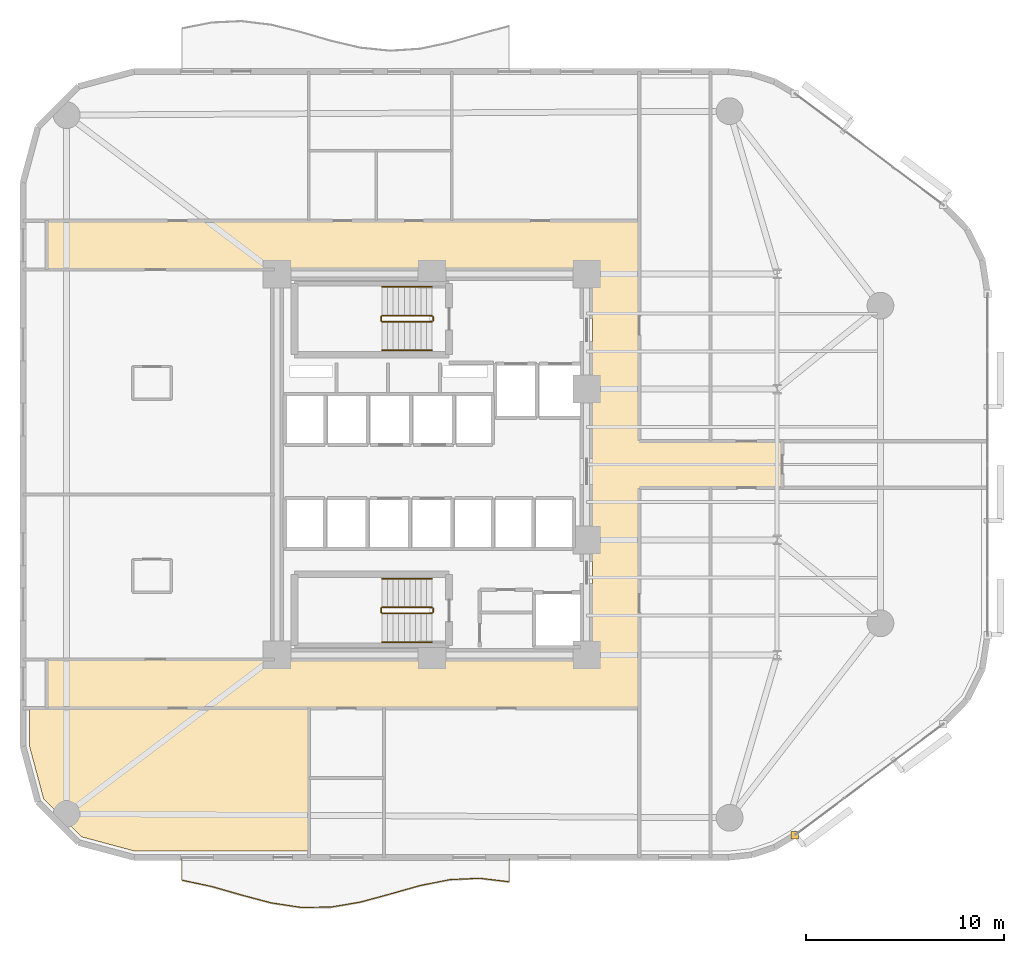
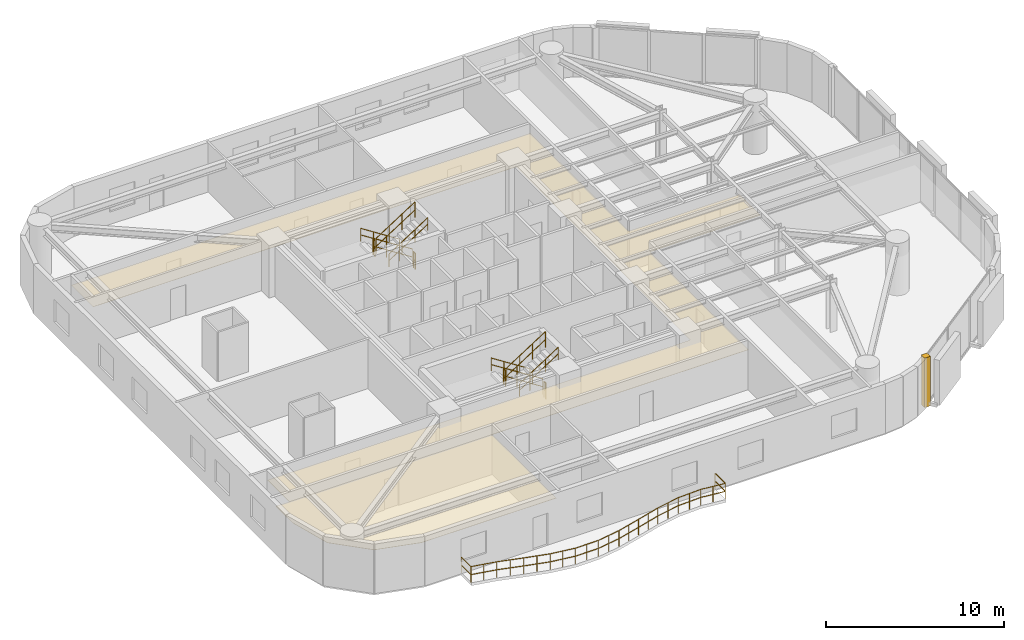
# One storey, part 14 of 15: 13 railings, 3 coverings.
"""IFC4 building model written with IfcOpenShell, lengths in metres."""

from ifc_helpers import new_model, si_unit, direction, frame, origin, origin_2d, place, context, subcontext, project, spatial, polyline, rectangle, circle, outline, extrude, material, layer, layer_set, type_object, element, save


model = new_model("IFC4")

# Units and contexts
model_context = context("Model", 3, precision=1e-05, world=origin(), true_north=direction((0.0, 1.0)))
body_context = subcontext(model_context, "Body", "Model", "MODEL_VIEW")
ifc_project = project(units=[si_unit("LENGTHUNIT", "METRE"), si_unit("AREAUNIT", "SQUARE_METRE"), si_unit("VOLUMEUNIT", "CUBIC_METRE"), si_unit("PLANEANGLEUNIT", "RADIAN"), si_unit("MASSUNIT", "GRAM", prefix="KILO")], contexts=[model_context])

# Site, building, storey
site_placement = place(None, origin())
site = spatial("IfcSite", under=ifc_project, at=site_placement, CompositionType="ELEMENT")
building_placement = place(site_placement, origin())
building = spatial("IfcBuilding", under=site, at=building_placement, Name="An Khanh Terracotta Commons", CompositionType="ELEMENT")
storey_placement = place(building_placement, frame((0.0, 0.0, 86.300048828125)))
storey = spatial("IfcBuildingStorey", under=building, at=storey_placement, Name="L22", CompositionType="ELEMENT", Elevation=86.300048828125)

# Coverings
ifc_material_1 = material(Name="Perforated Mineral-Fibre Acoustic Tile")
ifc_layer_1 = layer(ifc_material_1, 0.02001953125, Name="Perforated Mineral-Fibre Acoustic Tile")
ifc_layer_set_1 = layer_set([ifc_layer_1], Name="Perforated Mineral-Fibre Acoustic Tile")
covering_type_1 = type_object("IfcCoveringType", Name="CEIL-ACOUSTIC-18", PredefinedType="CEILING", material=ifc_layer_set_1)
covering_1_placement = place(storey_placement, frame((0.0, 0.0, 2.64990234375)))
element("IfcCovering", 1, at=covering_1_placement, inside=storey, type_object=covering_type_1, Name="L22 Corridor Ceiling", PredefinedType="CEILING", context=body_context, shape_type="SweptSolid", body=[
    extrude(outline(polyline([(10.0, 11.719970703125), (10.0, 14.179931640625), (37.5, 14.179931640625), (37.5, 33.820068359375), (10.0, 33.820068359375), (10.0, 36.280029296875), (37.5, 36.280029296875), (39.85009765625, 36.280029296875), (39.85009765625, 33.820068359375), (39.85009765625, 25.179931640625), (47.050048828125, 25.179931640625), (47.050048828125, 22.820068359375), (39.85009765625, 22.820068359375), (39.85009765625, 14.179931640625), (39.85009765625, 11.719970703125), (37.5, 11.719970703125), (10.0, 11.719970703125)])), origin(), (0.0, 0.0, 1.0), 0.02001953125),
])
covering_2_placement = place(storey_placement, frame((0.0, 0.0, 2.64990234375)))
element("IfcCovering", 2, at=covering_2_placement, inside=storey, type_object=covering_type_1, Name="L22 Academic Seminar Room Ceiling", PredefinedType="CEILING", context=body_context, shape_type="SweptSolid", body=[
    extrude(outline(polyline([(14.44189453125, 4.52001953125), (11.76611328125, 5.237060546875), (9.8369140625, 7.166015625), (9.1201171875, 9.842041015625), (9.1201171875, 11.719970703125), (10.0, 11.719970703125), (23.199951171875, 11.719970703125), (23.199951171875, 8.199951171875), (23.199951171875, 4.52001953125), (14.44189453125, 4.52001953125)])), origin(), (0.0, 0.0, 1.0), 0.02001953125),
])
ifc_material_2 = material(Name="Fired Terracotta Rainscreen Cladding", Category="masonry")
ifc_layer_2 = layer(ifc_material_2, 0.080078125, Name="Fired Terracotta Rainscreen Cladding")
ifc_layer_set_2 = layer_set([ifc_layer_2], Name="Fired Terracotta Rainscreen Cladding")
covering_type_2 = type_object("IfcCoveringType", Name="COV-JAMB-TERRA", PredefinedType="CLADDING", material=ifc_layer_set_2)
covering_3_placement = place(storey_placement, frame((47.693115234375, 5.320068359375, 0.0), z_axis=(0.0, 0.0, 1.0), x_axis=(1.0, 0.0, 0.0)))
element("IfcCovering", 3, at=covering_3_placement, inside=storey, type_object=covering_type_2, Name="L22 CW-02 Curtain-Wall Jamb Closure JA", PredefinedType="CLADDING", context=body_context, shape_type="SweptSolid", body=[
    extrude(rectangle(XDim=0.3798828125, YDim=0.3798828125, at=origin_2d()), origin(), (0.0, 0.0, 1.0), 3.39990234375),
])

# Railings
ifc_material_3 = material(Name="Brushed Stainless Steel 316", Category="steel")
railing_type_1 = type_object("IfcRailingType", Name="RAIL-BALUSTRADE-1100", PredefinedType="BALUSTRADE", material=ifc_material_3)
railing_1_placement = place(storey_placement, frame((16.800048828125, 4.139892578125, 0.0)))
element("IfcRailing", 4, at=railing_1_placement, inside=storey, type_object=railing_type_1, Name="L22 S Wave Balcony Guard Balustrade", PredefinedType="BALUSTRADE", context=body_context, shape_type="SweptSolid", body=[
    extrude(circle(Radius=0.02392578125, at=origin_2d()), frame((0.0, 0.0, 1.076171875), z_axis=(0.0, -1.0, 0.0), x_axis=(1.0, 0.0, 0.0)), (0.0, 0.0, 1.0), 1.079833984375),
    extrude(circle(Radius=0.02392578125, at=origin_2d()), frame((0.0, 0.0, 0.52587890625), z_axis=(0.0, -1.0, 0.0), x_axis=(1.0, 0.0, 0.0)), (0.0, 0.0, 1.0), 1.079833984375),
    extrude(circle(Radius=0.02392578125, at=origin_2d()), frame((0.0, -1.079833984375, 1.076171875), z_axis=(0.978242938641, -0.207462654468, 0.0), x_axis=(0.207462654468, 0.978242938641, 0.0)), (0.0, 0.0, 1.0), 1.533447265625),
    extrude(circle(Radius=0.02392578125, at=origin_2d()), frame((0.0, -1.079833984375, 0.52587890625), z_axis=(0.978242938641, -0.207462654468, 0.0), x_axis=(0.207462654468, 0.978242938641, 0.0)), (0.0, 0.0, 1.0), 1.533447265625),
    extrude(circle(Radius=0.02392578125, at=origin_2d()), frame((1.5, -1.39794921875, 1.076171875), z_axis=(0.961293347262, -0.275526950607, 0.0), x_axis=(0.275526950607, 0.961293347262, 0.0)), (0.0, 0.0, 1.0), 1.560302734375),
    extrude(circle(Radius=0.02392578125, at=origin_2d()), frame((1.5, -1.39794921875, 0.52587890625), z_axis=(0.961293347262, -0.275526950607, 0.0), x_axis=(0.275526950607, 0.961293347262, 0.0)), (0.0, 0.0, 1.0), 1.560302734375),
    extrude(circle(Radius=0.02392578125, at=origin_2d()), frame((3.0, -1.827880859375, 1.076171875), z_axis=(0.966718963822, -0.255840663277, 0.0), x_axis=(0.255840663277, 0.966718963822, 0.0)), (0.0, 0.0, 1.0), 1.5517578125),
    extrude(circle(Radius=0.02392578125, at=origin_2d()), frame((3.0, -1.827880859375, 0.52587890625), z_axis=(0.966718963822, -0.255840663277, 0.0), x_axis=(0.255840663277, 0.966718963822, 0.0)), (0.0, 0.0, 1.0), 1.5517578125),
    extrude(circle(Radius=0.02392578125, at=origin_2d()), frame((4.5, -2.224853515625, 1.076171875), z_axis=(0.988545890906, -0.15092058035, 0.0), x_axis=(0.15092058035, 0.988545890906, 0.0)), (0.0, 0.0, 1.0), 1.517333984375),
    extrude(circle(Radius=0.02392578125, at=origin_2d()), frame((4.5, -2.224853515625, 0.52587890625), z_axis=(0.988545890906, -0.15092058035, 0.0), x_axis=(0.15092058035, 0.988545890906, 0.0)), (0.0, 0.0, 1.0), 1.517333984375),
    extrude(circle(Radius=0.02392578125, at=origin_2d()), frame((6.0, -2.453857421875, 1.076171875), z_axis=(0.999956968224, 0.009276944529, 0.0), x_axis=(-0.009276944529, 0.999956968224, 0.0)), (0.0, 0.0, 1.0), 1.5),
    extrude(circle(Radius=0.02392578125, at=origin_2d()), frame((6.0, -2.453857421875, 0.52587890625), z_axis=(0.999956968224, 0.009276944529, 0.0), x_axis=(-0.009276944529, 0.999956968224, 0.0)), (0.0, 0.0, 1.0), 1.5),
    extrude(circle(Radius=0.02392578125, at=origin_2d()), frame((7.5, -2.43994140625, 1.076171875), z_axis=(0.986079829755, 0.16627257546, 0.0), x_axis=(-0.16627257546, 0.986079829755, 0.0)), (0.0, 0.0, 1.0), 1.521240234375),
    extrude(circle(Radius=0.02392578125, at=origin_2d()), frame((7.5, -2.43994140625, 0.52587890625), z_axis=(0.986079829755, 0.16627257546, 0.0), x_axis=(-0.16627257546, 0.986079829755, 0.0)), (0.0, 0.0, 1.0), 1.521240234375),
    extrude(circle(Radius=0.02392578125, at=origin_2d()), frame((9.0, -2.18701171875, 1.076171875), z_axis=(0.964908643051, 0.262585815622, 0.0), x_axis=(-0.262585815622, 0.964908643051, 0.0)), (0.0, 0.0, 1.0), 1.554443359375),
    extrude(circle(Radius=0.02392578125, at=origin_2d()), frame((9.0, -2.18701171875, 0.52587890625), z_axis=(0.964908643051, 0.262585815622, 0.0), x_axis=(-0.262585815622, 0.964908643051, 0.0)), (0.0, 0.0, 1.0), 1.554443359375),
    extrude(circle(Radius=0.02392578125, at=origin_2d()), frame((10.5, -1.77880859375, 1.076171875), z_axis=(0.962323659406, 0.271906554806, 0.0), x_axis=(-0.271906554806, 0.962323659406, 0.0)), (0.0, 0.0, 1.0), 1.558837890625),
    extrude(circle(Radius=0.02392578125, at=origin_2d()), frame((10.5, -1.77880859375, 0.52587890625), z_axis=(0.962323659406, 0.271906554806, 0.0), x_axis=(-0.271906554806, 0.962323659406, 0.0)), (0.0, 0.0, 1.0), 1.558837890625),
    extrude(circle(Radius=0.02392578125, at=origin_2d()), frame((12.0, -1.35498046875, 1.076171875), z_axis=(0.980819402607, 0.194918699639, 0.0), x_axis=(-0.194918699639, 0.980819402607, 0.0)), (0.0, 0.0, 1.0), 1.529296875),
    extrude(circle(Radius=0.02392578125, at=origin_2d()), frame((12.0, -1.35498046875, 0.52587890625), z_axis=(0.980819402607, 0.194918699639, 0.0), x_axis=(-0.194918699639, 0.980819402607, 0.0)), (0.0, 0.0, 1.0), 1.529296875),
    extrude(circle(Radius=0.02392578125, at=origin_2d()), frame((13.5, -1.056884765625, 1.076171875), z_axis=(0.998880243389, 0.047310245903, 0.0), x_axis=(-0.047310245903, 0.998880243389, 0.0)), (0.0, 0.0, 1.0), 1.501708984375),
    extrude(circle(Radius=0.02392578125, at=origin_2d()), frame((13.5, -1.056884765625, 0.52587890625), z_axis=(0.998880243389, 0.047310245903, 0.0), x_axis=(-0.047310245903, 0.998880243389, 0.0)), (0.0, 0.0, 1.0), 1.501708984375),
    extrude(circle(Radius=0.02392578125, at=origin_2d()), frame((15.0, -0.98583984375, 1.076171875), z_axis=(0.99288219023, -0.11910061429, 0.0), x_axis=(0.11910061429, 0.99288219023, 0.0)), (0.0, 0.0, 1.0), 1.5107421875),
    extrude(circle(Radius=0.02392578125, at=origin_2d()), frame((15.0, -0.98583984375, 0.52587890625), z_axis=(0.99288219023, -0.11910061429, 0.0), x_axis=(0.11910061429, 0.99288219023, 0.0)), (0.0, 0.0, 1.0), 1.5107421875),
    extrude(circle(Radius=0.02392578125, at=origin_2d()), frame((16.5, -1.165771484375, 1.076171875), z_axis=(0.0, 1.0, 0.0), x_axis=(-1.0, 0.0, 0.0)), (0.0, 0.0, 1.0), 1.165771484375),
    extrude(circle(Radius=0.02392578125, at=origin_2d()), frame((16.5, -1.165771484375, 0.52587890625), z_axis=(0.0, 1.0, 0.0), x_axis=(-1.0, 0.0, 0.0)), (0.0, 0.0, 1.0), 1.165771484375),
    extrude(circle(Radius=0.02099609375, at=origin_2d()), origin(), (0.0, 0.0, 1.0), 1.052001953125),
    extrude(circle(Radius=0.02099609375, at=origin_2d()), frame((0.0, -1.079833984375, 0.0)), (0.0, 0.0, 1.0), 1.052001953125),
    extrude(circle(Radius=0.02099609375, at=origin_2d()), frame((0.75, -1.23876953125, 0.0)), (0.0, 0.0, 1.0), 1.052001953125),
    extrude(circle(Radius=0.02099609375, at=origin_2d()), frame((1.5, -1.39794921875, 0.0)), (0.0, 0.0, 1.0), 1.052001953125),
    extrude(circle(Radius=0.02099609375, at=origin_2d()), frame((2.25, -1.61279296875, 0.0)), (0.0, 0.0, 1.0), 1.052001953125),
    extrude(circle(Radius=0.02099609375, at=origin_2d()), frame((3.0, -1.827880859375, 0.0)), (0.0, 0.0, 1.0), 1.052001953125),
    extrude(circle(Radius=0.02099609375, at=origin_2d()), frame((3.75, -2.0263671875, 0.0)), (0.0, 0.0, 1.0), 1.052001953125),
    extrude(circle(Radius=0.02099609375, at=origin_2d()), frame((4.5, -2.224853515625, 0.0)), (0.0, 0.0, 1.0), 1.052001953125),
    extrude(circle(Radius=0.02099609375, at=origin_2d()), frame((5.25, -2.33935546875, 0.0)), (0.0, 0.0, 1.0), 1.052001953125),
    extrude(circle(Radius=0.02099609375, at=origin_2d()), frame((6.0, -2.453857421875, 0.0)), (0.0, 0.0, 1.0), 1.052001953125),
    extrude(circle(Radius=0.02099609375, at=origin_2d()), frame((6.75, -2.44677734375, 0.0)), (0.0, 0.0, 1.0), 1.052001953125),
    extrude(circle(Radius=0.02099609375, at=origin_2d()), frame((7.5, -2.43994140625, 0.0)), (0.0, 0.0, 1.0), 1.052001953125),
    extrude(circle(Radius=0.02099609375, at=origin_2d()), frame((8.25, -2.3134765625, 0.0)), (0.0, 0.0, 1.0), 1.052001953125),
    extrude(circle(Radius=0.02099609375, at=origin_2d()), frame((9.0, -2.18701171875, 0.0)), (0.0, 0.0, 1.0), 1.052001953125),
    extrude(circle(Radius=0.02099609375, at=origin_2d()), frame((9.75, -1.98291015625, 0.0)), (0.0, 0.0, 1.0), 1.052001953125),
    extrude(circle(Radius=0.02099609375, at=origin_2d()), frame((10.5, -1.77880859375, 0.0)), (0.0, 0.0, 1.0), 1.052001953125),
    extrude(circle(Radius=0.02099609375, at=origin_2d()), frame((11.25, -1.56689453125, 0.0)), (0.0, 0.0, 1.0), 1.052001953125),
    extrude(circle(Radius=0.02099609375, at=origin_2d()), frame((12.0, -1.35498046875, 0.0)), (0.0, 0.0, 1.0), 1.052001953125),
    extrude(circle(Radius=0.02099609375, at=origin_2d()), frame((12.75, -1.2060546875, 0.0)), (0.0, 0.0, 1.0), 1.052001953125),
    extrude(circle(Radius=0.02099609375, at=origin_2d()), frame((13.5, -1.056884765625, 0.0)), (0.0, 0.0, 1.0), 1.052001953125),
    extrude(circle(Radius=0.02099609375, at=origin_2d()), frame((14.25, -1.021484375, 0.0)), (0.0, 0.0, 1.0), 1.052001953125),
    extrude(circle(Radius=0.02099609375, at=origin_2d()), frame((15.0, -0.98583984375, 0.0)), (0.0, 0.0, 1.0), 1.052001953125),
    extrude(circle(Radius=0.02099609375, at=origin_2d()), frame((15.75, -1.07568359375, 0.0)), (0.0, 0.0, 1.0), 1.052001953125),
    extrude(circle(Radius=0.02099609375, at=origin_2d()), frame((16.5, -1.165771484375, 0.0)), (0.0, 0.0, 1.0), 1.052001953125),
    extrude(circle(Radius=0.02099609375, at=origin_2d()), frame((16.5, 0.0, 0.0)), (0.0, 0.0, 1.0), 1.052001953125),
])
railing_type_2 = type_object("IfcRailingType", Name="RAIL-HANDRAIL-900", PredefinedType="HANDRAIL", material=ifc_material_3)
railing_2_placement = place(storey_placement, frame((29.409912109375, 32.949951171875, 0.179931640625)))
element("IfcRailing", 5, at=railing_2_placement, inside=storey, type_object=railing_type_2, Name="L22 ST-01 stair handrail 1", PredefinedType="HANDRAIL", context=body_context, shape_type="SweptSolid", body=[
    extrude(circle(Radius=0.02392578125, at=origin_2d()), frame((0.0, 0.0, 0.8759765625), z_axis=(-0.841162588446, 0.0, 0.540782303519), x_axis=(0.0, -1.0, 0.0)), (0.0, 0.0, 1.0), 2.995849609375),
    extrude(circle(Radius=0.02392578125, at=origin_2d()), frame((0.0, 0.0, 0.42578125), z_axis=(-0.841162588446, 0.0, 0.540782303519), x_axis=(0.0, -1.0, 0.0)), (0.0, 0.0, 1.0), 2.995849609375),
    extrude(circle(Radius=0.02099609375, at=origin_2d()), origin(), (0.0, 0.0, 1.0), 0.851806640625),
    extrude(circle(Radius=0.02099609375, at=origin_2d()), frame((-0.840087890625, 0.0, 0.5400390625)), (0.0, 0.0, 1.0), 0.851806640625),
    extrude(circle(Radius=0.02099609375, at=origin_2d()), frame((-1.679931640625, 0.0, 1.080078125)), (0.0, 0.0, 1.0), 0.851806640625),
    extrude(circle(Radius=0.02099609375, at=origin_2d()), frame((-2.52001953125, 0.0, 1.6201171875)), (0.0, 0.0, 1.0), 0.851806640625),
])
railing_3_placement = place(storey_placement, frame((26.889892578125, 29.75, 1.97998046875)))
element("IfcRailing", 6, at=railing_3_placement, inside=storey, type_object=railing_type_2, Name="L22 ST-01 stair handrail 2", PredefinedType="HANDRAIL", context=body_context, shape_type="SweptSolid", body=[
    extrude(circle(Radius=0.02392578125, at=origin_2d()), frame((0.0, 0.0, 0.8759765625), z_axis=(0.841199657755, 0.0, 0.540724639528), x_axis=(0.0, 1.0, 0.0)), (0.0, 0.0, 1.0), 2.995849609375),
    extrude(circle(Radius=0.02392578125, at=origin_2d()), frame((0.0, 0.0, 0.42578125), z_axis=(0.841199657755, 0.0, 0.540724639528), x_axis=(0.0, 1.0, 0.0)), (0.0, 0.0, 1.0), 2.995849609375),
    extrude(circle(Radius=0.02099609375, at=origin_2d()), origin(), (0.0, 0.0, 1.0), 0.851806640625),
    extrude(circle(Radius=0.02099609375, at=origin_2d()), frame((0.840087890625, 0.0, 0.5400390625)), (0.0, 0.0, 1.0), 0.851806640625),
    extrude(circle(Radius=0.02099609375, at=origin_2d()), frame((1.679931640625, 0.0, 1.079833984375)), (0.0, 0.0, 1.0), 0.851806640625),
    extrude(circle(Radius=0.02099609375, at=origin_2d()), frame((2.52001953125, 0.0, 1.619873046875)), (0.0, 0.0, 1.0), 0.851806640625),
])
railing_4_placement = place(storey_placement, frame((29.409912109375, 18.25, 0.179931640625)))
element("IfcRailing", 7, at=railing_4_placement, inside=storey, type_object=railing_type_2, Name="L22 ST-02 stair handrail 1", PredefinedType="HANDRAIL", context=body_context, shape_type="SweptSolid", body=[
    extrude(circle(Radius=0.02392578125, at=origin_2d()), frame((0.0, 0.0, 0.8759765625), z_axis=(-0.841162588446, 0.0, 0.540782303519), x_axis=(0.0, -1.0, 0.0)), (0.0, 0.0, 1.0), 2.995849609375),
    extrude(circle(Radius=0.02392578125, at=origin_2d()), frame((0.0, 0.0, 0.42578125), z_axis=(-0.841162588446, 0.0, 0.540782303519), x_axis=(0.0, -1.0, 0.0)), (0.0, 0.0, 1.0), 2.995849609375),
    extrude(circle(Radius=0.02099609375, at=origin_2d()), origin(), (0.0, 0.0, 1.0), 0.851806640625),
    extrude(circle(Radius=0.02099609375, at=origin_2d()), frame((-0.840087890625, 0.0, 0.5400390625)), (0.0, 0.0, 1.0), 0.851806640625),
    extrude(circle(Radius=0.02099609375, at=origin_2d()), frame((-1.679931640625, 0.0, 1.080078125)), (0.0, 0.0, 1.0), 0.851806640625),
    extrude(circle(Radius=0.02099609375, at=origin_2d()), frame((-2.52001953125, 0.0, 1.6201171875)), (0.0, 0.0, 1.0), 0.851806640625),
])
railing_5_placement = place(storey_placement, frame((26.889892578125, 15.050048828125, 1.97998046875)))
element("IfcRailing", 8, at=railing_5_placement, inside=storey, type_object=railing_type_2, Name="L22 ST-02 stair handrail 2", PredefinedType="HANDRAIL", context=body_context, shape_type="SweptSolid", body=[
    extrude(circle(Radius=0.02392578125, at=origin_2d()), frame((0.0, 0.0, 0.8759765625), z_axis=(0.841199657755, 0.0, 0.540724639528), x_axis=(0.0, 1.0, 0.0)), (0.0, 0.0, 1.0), 2.995849609375),
    extrude(circle(Radius=0.02392578125, at=origin_2d()), frame((0.0, 0.0, 0.42578125), z_axis=(0.841199657755, 0.0, 0.540724639528), x_axis=(0.0, 1.0, 0.0)), (0.0, 0.0, 1.0), 2.995849609375),
    extrude(circle(Radius=0.02099609375, at=origin_2d()), origin(), (0.0, 0.0, 1.0), 0.851806640625),
    extrude(circle(Radius=0.02099609375, at=origin_2d()), frame((0.840087890625, 0.0, 0.5400390625)), (0.0, 0.0, 1.0), 0.851806640625),
    extrude(circle(Radius=0.02099609375, at=origin_2d()), frame((1.679931640625, 0.0, 1.079833984375)), (0.0, 0.0, 1.0), 0.851806640625),
    extrude(circle(Radius=0.02099609375, at=origin_2d()), frame((2.52001953125, 0.0, 1.619873046875)), (0.0, 0.0, 1.0), 0.851806640625),
])
ifc_material_4 = material(Name="Powder-Coated Steel S355J2", Category="steel")
railing_type_3 = type_object("IfcRailingType", Name="RAIL-STAIR-GUARD-1100", PredefinedType="BALUSTRADE", material=ifc_material_4)
railing_6_placement = place(storey_placement, frame((29.409912109375, 31.5, 0.179931640625)))
element("IfcRailing", 9, at=railing_6_placement, inside=storey, type_object=railing_type_3, Name="L22 ST-01 stair guard 1", PredefinedType="BALUSTRADE", context=body_context, shape_type="SweptSolid", body=[
    extrude(circle(Radius=0.02392578125, at=origin_2d()), frame((0.0, 0.0, 1.076171875), z_axis=(-0.841162588446, 0.0, 0.540782303519), x_axis=(0.0, -1.0, 0.0)), (0.0, 0.0, 1.0), 2.995849609375),
    extrude(circle(Radius=0.02392578125, at=origin_2d()), frame((0.0, 0.0, 0.52587890625), z_axis=(-0.841162588446, 0.0, 0.540782303519), x_axis=(0.0, -1.0, 0.0)), (0.0, 0.0, 1.0), 2.995849609375),
    extrude(circle(Radius=0.02099609375, at=origin_2d()), origin(), (0.0, 0.0, 1.0), 1.052001953125),
    extrude(circle(Radius=0.02099609375, at=origin_2d()), frame((-0.840087890625, 0.0, 0.5400390625)), (0.0, 0.0, 1.0), 1.052001953125),
    extrude(circle(Radius=0.02099609375, at=origin_2d()), frame((-1.679931640625, 0.0, 1.080078125)), (0.0, 0.0, 1.0), 1.052001953125),
    extrude(circle(Radius=0.02099609375, at=origin_2d()), frame((-2.52001953125, 0.0, 1.6201171875)), (0.0, 0.0, 1.0), 1.052001953125),
])
railing_7_placement = place(storey_placement, frame((26.840087890625, 31.449951171875, 1.800048828125)))
element("IfcRailing", 10, at=railing_7_placement, inside=storey, type_object=railing_type_3, Name="L22 ST-01 stair guard 2", PredefinedType="BALUSTRADE", context=body_context, shape_type="SweptSolid", body=[
    extrude(circle(Radius=0.02392578125, at=origin_2d()), frame((0.0, 0.0, 1.076171875), z_axis=(0.0, -1.0, 0.0), x_axis=(1.0, 0.0, 0.0)), (0.0, 0.0, 1.0), 0.199951171875),
    extrude(circle(Radius=0.02392578125, at=origin_2d()), frame((0.0, 0.0, 0.52587890625), z_axis=(0.0, -1.0, 0.0), x_axis=(1.0, 0.0, 0.0)), (0.0, 0.0, 1.0), 0.199951171875),
    extrude(circle(Radius=0.02099609375, at=origin_2d()), origin(), (0.0, 0.0, 1.0), 1.052001953125),
    extrude(circle(Radius=0.02099609375, at=origin_2d()), frame((0.0, -0.199951171875, 0.0)), (0.0, 0.0, 1.0), 1.052001953125),
])
railing_8_placement = place(storey_placement, frame((26.889892578125, 31.199951171875, 1.97998046875)))
element("IfcRailing", 11, at=railing_8_placement, inside=storey, type_object=railing_type_3, Name="L22 ST-01 stair guard 3", PredefinedType="BALUSTRADE", context=body_context, shape_type="SweptSolid", body=[
    extrude(circle(Radius=0.02392578125, at=origin_2d()), frame((0.0, 0.0, 1.076171875), z_axis=(0.841199657755, 0.0, 0.540724639528), x_axis=(0.0, 1.0, 0.0)), (0.0, 0.0, 1.0), 2.995849609375),
    extrude(circle(Radius=0.02392578125, at=origin_2d()), frame((0.0, 0.0, 0.52587890625), z_axis=(0.841199657755, 0.0, 0.540724639528), x_axis=(0.0, 1.0, 0.0)), (0.0, 0.0, 1.0), 2.995849609375),
    extrude(circle(Radius=0.02099609375, at=origin_2d()), origin(), (0.0, 0.0, 1.0), 1.052001953125),
    extrude(circle(Radius=0.02099609375, at=origin_2d()), frame((0.840087890625, 0.0, 0.5400390625)), (0.0, 0.0, 1.0), 1.052001953125),
    extrude(circle(Radius=0.02099609375, at=origin_2d()), frame((1.679931640625, 0.0, 1.079833984375)), (0.0, 0.0, 1.0), 1.052001953125),
    extrude(circle(Radius=0.02099609375, at=origin_2d()), frame((2.52001953125, 0.0, 1.619873046875)), (0.0, 0.0, 1.0), 1.052001953125),
])
railing_9_placement = place(storey_placement, frame((29.4599609375, 31.449951171875, 0.0)))
element("IfcRailing", 12, at=railing_9_placement, inside=storey, type_object=railing_type_3, Name="L22 ST-01 stair guard 4", PredefinedType="BALUSTRADE", context=body_context, shape_type="SweptSolid", body=[
    extrude(circle(Radius=0.02392578125, at=origin_2d()), frame((0.0, 0.0, 1.076171875), z_axis=(0.0, -1.0, 0.0), x_axis=(1.0, 0.0, 0.0)), (0.0, 0.0, 1.0), 0.199951171875),
    extrude(circle(Radius=0.02392578125, at=origin_2d()), frame((0.0, 0.0, 0.52587890625), z_axis=(0.0, -1.0, 0.0), x_axis=(1.0, 0.0, 0.0)), (0.0, 0.0, 1.0), 0.199951171875),
    extrude(circle(Radius=0.02099609375, at=origin_2d()), origin(), (0.0, 0.0, 1.0), 1.052001953125),
    extrude(circle(Radius=0.02099609375, at=origin_2d()), frame((0.0, -0.199951171875, 0.0)), (0.0, 0.0, 1.0), 1.052001953125),
])
railing_10_placement = place(storey_placement, frame((29.409912109375, 16.800048828125, 0.179931640625)))
element("IfcRailing", 13, at=railing_10_placement, inside=storey, type_object=railing_type_3, Name="L22 ST-02 stair guard 1", PredefinedType="BALUSTRADE", context=body_context, shape_type="SweptSolid", body=[
    extrude(circle(Radius=0.02392578125, at=origin_2d()), frame((0.0, 0.0, 1.076171875), z_axis=(-0.841162588446, 0.0, 0.540782303519), x_axis=(0.0, -1.0, 0.0)), (0.0, 0.0, 1.0), 2.995849609375),
    extrude(circle(Radius=0.02392578125, at=origin_2d()), frame((0.0, 0.0, 0.52587890625), z_axis=(-0.841162588446, 0.0, 0.540782303519), x_axis=(0.0, -1.0, 0.0)), (0.0, 0.0, 1.0), 2.995849609375),
    extrude(circle(Radius=0.02099609375, at=origin_2d()), origin(), (0.0, 0.0, 1.0), 1.052001953125),
    extrude(circle(Radius=0.02099609375, at=origin_2d()), frame((-0.840087890625, 0.0, 0.5400390625)), (0.0, 0.0, 1.0), 1.052001953125),
    extrude(circle(Radius=0.02099609375, at=origin_2d()), frame((-1.679931640625, 0.0, 1.080078125)), (0.0, 0.0, 1.0), 1.052001953125),
    extrude(circle(Radius=0.02099609375, at=origin_2d()), frame((-2.52001953125, 0.0, 1.6201171875)), (0.0, 0.0, 1.0), 1.052001953125),
])
railing_11_placement = place(storey_placement, frame((26.840087890625, 16.75, 1.800048828125)))
element("IfcRailing", 14, at=railing_11_placement, inside=storey, type_object=railing_type_3, Name="L22 ST-02 stair guard 2", PredefinedType="BALUSTRADE", context=body_context, shape_type="SweptSolid", body=[
    extrude(circle(Radius=0.02392578125, at=origin_2d()), frame((0.0, 0.0, 1.076171875), z_axis=(0.0, -1.0, 0.0), x_axis=(1.0, 0.0, 0.0)), (0.0, 0.0, 1.0), 0.199951171875),
    extrude(circle(Radius=0.02392578125, at=origin_2d()), frame((0.0, 0.0, 0.52587890625), z_axis=(0.0, -1.0, 0.0), x_axis=(1.0, 0.0, 0.0)), (0.0, 0.0, 1.0), 0.199951171875),
    extrude(circle(Radius=0.02099609375, at=origin_2d()), origin(), (0.0, 0.0, 1.0), 1.052001953125),
    extrude(circle(Radius=0.02099609375, at=origin_2d()), frame((0.0, -0.199951171875, 0.0)), (0.0, 0.0, 1.0), 1.052001953125),
])
railing_12_placement = place(storey_placement, frame((26.889892578125, 16.5, 1.97998046875)))
element("IfcRailing", 15, at=railing_12_placement, inside=storey, type_object=railing_type_3, Name="L22 ST-02 stair guard 3", PredefinedType="BALUSTRADE", context=body_context, shape_type="SweptSolid", body=[
    extrude(circle(Radius=0.02392578125, at=origin_2d()), frame((0.0, 0.0, 1.076171875), z_axis=(0.841199657755, 0.0, 0.540724639528), x_axis=(0.0, 1.0, 0.0)), (0.0, 0.0, 1.0), 2.995849609375),
    extrude(circle(Radius=0.02392578125, at=origin_2d()), frame((0.0, 0.0, 0.52587890625), z_axis=(0.841199657755, 0.0, 0.540724639528), x_axis=(0.0, 1.0, 0.0)), (0.0, 0.0, 1.0), 2.995849609375),
    extrude(circle(Radius=0.02099609375, at=origin_2d()), origin(), (0.0, 0.0, 1.0), 1.052001953125),
    extrude(circle(Radius=0.02099609375, at=origin_2d()), frame((0.840087890625, 0.0, 0.5400390625)), (0.0, 0.0, 1.0), 1.052001953125),
    extrude(circle(Radius=0.02099609375, at=origin_2d()), frame((1.679931640625, 0.0, 1.079833984375)), (0.0, 0.0, 1.0), 1.052001953125),
    extrude(circle(Radius=0.02099609375, at=origin_2d()), frame((2.52001953125, 0.0, 1.619873046875)), (0.0, 0.0, 1.0), 1.052001953125),
])
railing_13_placement = place(storey_placement, frame((29.4599609375, 16.75, 0.0)))
element("IfcRailing", 16, at=railing_13_placement, inside=storey, type_object=railing_type_3, Name="L22 ST-02 stair guard 4", PredefinedType="BALUSTRADE", context=body_context, shape_type="SweptSolid", body=[
    extrude(circle(Radius=0.02392578125, at=origin_2d()), frame((0.0, 0.0, 1.076171875), z_axis=(0.0, -1.0, 0.0), x_axis=(1.0, 0.0, 0.0)), (0.0, 0.0, 1.0), 0.199951171875),
    extrude(circle(Radius=0.02392578125, at=origin_2d()), frame((0.0, 0.0, 0.52587890625), z_axis=(0.0, -1.0, 0.0), x_axis=(1.0, 0.0, 0.0)), (0.0, 0.0, 1.0), 0.199951171875),
    extrude(circle(Radius=0.02099609375, at=origin_2d()), origin(), (0.0, 0.0, 1.0), 1.052001953125),
    extrude(circle(Radius=0.02099609375, at=origin_2d()), frame((0.0, -0.199951171875, 0.0)), (0.0, 0.0, 1.0), 1.052001953125),
])

save(model, "model.ifc")
